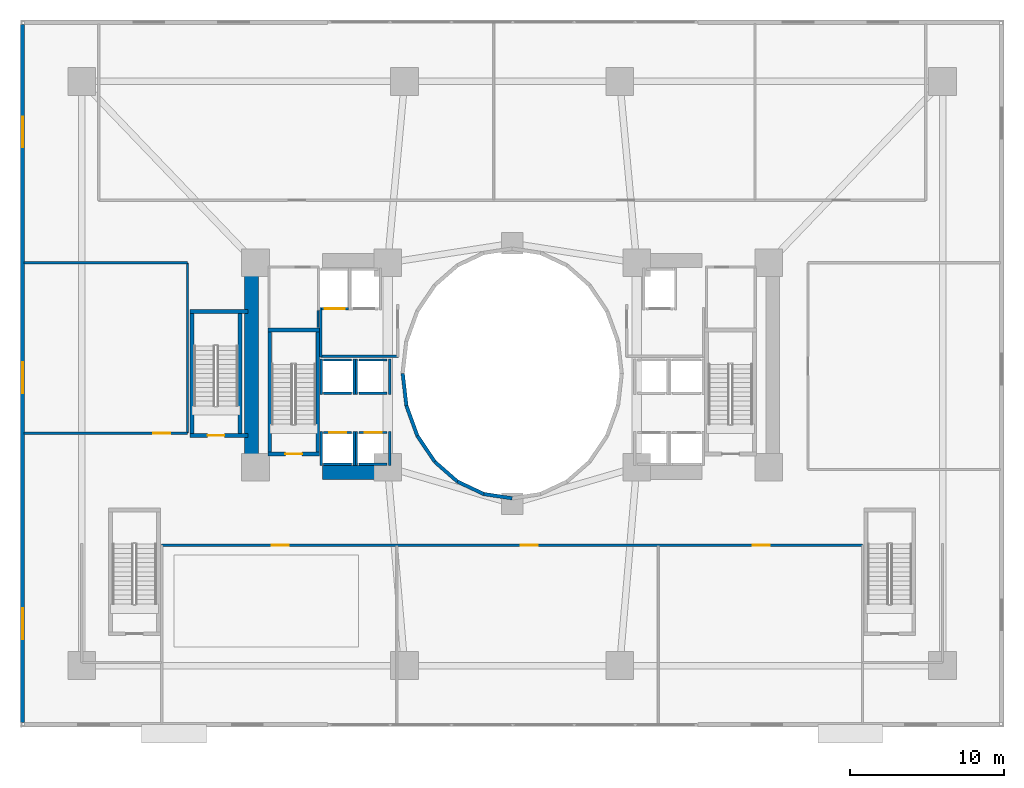
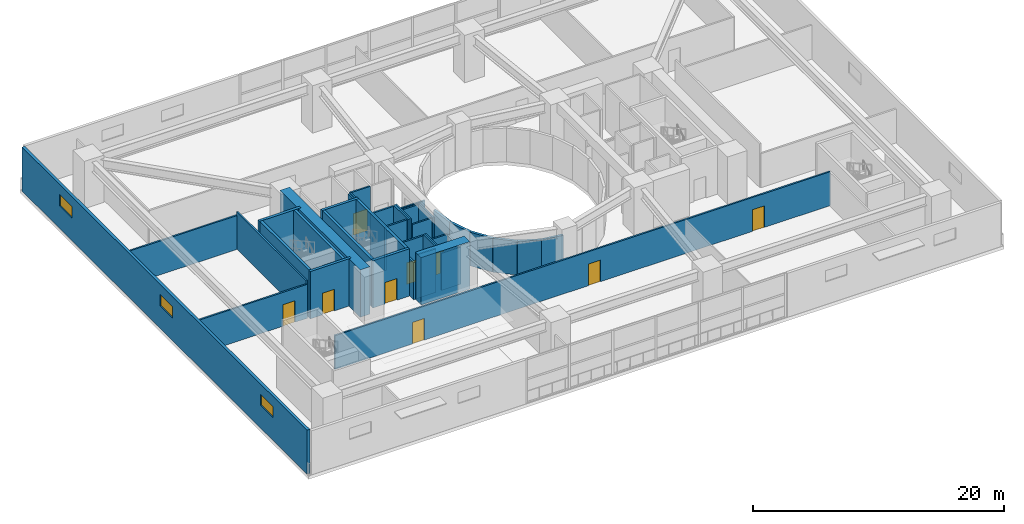
# One storey, part 11 of 20: 41 walls, 9 doors, 3 windows, 12 openings.
"""IFC4 building model written with IfcOpenShell, lengths in metres."""

import ifcopenshell
import ifcopenshell.guid

model = None  # the IFC model being written
_history = None  # IfcOwnerHistory: only IFC2X3 demands one
_inside = {}  # id of a spatial element -> (the spatial element, [elements in it])
_under = {}  # id of a project, library or spatial element -> (it, [spatial elements below it])
_declared = {}  # id of a project -> (the project, [libraries it declares])
_typed = {}  # id of a type object -> (the type object, [elements of that type])
_made_of = {}  # id of a material, layer set ... -> (it, [elements and type objects made of it])


def new_model(schema):
    """Start an empty IFC model of exactly this schema.

    Asked for "IFC4X3", IfcOpenShell would pick the latest addendum, in which some entities
    have other attributes; the version numbers below select the first issue.
    IFC2X3 requires an IfcOwnerHistory on every rooted entity: one is made here for all.
    """
    global model, _history
    if schema == "IFC4X3":
        model = ifcopenshell.file(schema_version=(4, 3, 0, 0))
    else:
        model = ifcopenshell.file(schema=schema)
    _inside.clear()
    _under.clear()
    _declared.clear()
    _typed.clear()
    _made_of.clear()
    _history = None
    if model.schema == "IFC2X3":
        org = make("IfcOrganization", Name="unknown")
        user = make(
            "IfcPersonAndOrganization",
            ThePerson=make("IfcPerson", FamilyName="unknown"),
            TheOrganization=org,
        )
        app = make(
            "IfcApplication",
            ApplicationDeveloper=org,
            Version="unknown",
            ApplicationFullName="unknown",
            ApplicationIdentifier="unknown",
        )
        _history = make(
            "IfcOwnerHistory",
            OwningUser=user,
            OwningApplication=app,
            ChangeAction="ADDED",
            CreationDate=0,
        )
    return model


def make(cls, **values):
    """One entity of the class cls with the attributes given. An attribute that is None is left unset."""
    return model.create_entity(
        cls, **{name: value for name, value in values.items() if value is not None}
    )


def rooted(cls, **values):
    """An entity with a GlobalId (a new one), such as an element, a storey or a relation."""
    return make(cls, GlobalId=ifcopenshell.guid.new(), OwnerHistory=_history, **values)


def si_unit(unit_type, name, prefix=None):
    """IfcSIUnit, for example si_unit("LENGTHUNIT", "METRE", prefix="MILLI")."""
    return make("IfcSIUnit", UnitType=unit_type, Prefix=prefix, Name=name)


def assignment(units):
    """IfcUnitAssignment: the units of a project."""
    return None if units is None else make("IfcUnitAssignment", Units=units)


def point(xyz):
    """IfcCartesianPoint."""
    return None if xyz is None else make("IfcCartesianPoint", Coordinates=xyz)


def direction(xyz):
    """IfcDirection."""
    return None if xyz is None else make("IfcDirection", DirectionRatios=xyz)


def frame(location, z_axis=None, x_axis=None):
    """IfcAxis2Placement3D, a coordinate frame: its origin and axes. An axis left out is left unset."""
    return make(
        "IfcAxis2Placement3D",
        Location=point(location),
        Axis=direction(z_axis),
        RefDirection=direction(x_axis),
    )


def frame_2d(location, x_axis=None):
    """IfcAxis2Placement2D, a coordinate frame in the plane: its origin and x axis."""
    return make(
        "IfcAxis2Placement2D", Location=point(location), RefDirection=direction(x_axis)
    )


def origin():
    """The frame at (0, 0, 0) with its axes left unset."""
    return frame((0.0, 0.0, 0.0))


def place(relative_to, where):
    """IfcLocalPlacement: puts the frame where relative to a parent placement (None: the world)."""
    return make(
        "IfcLocalPlacement", PlacementRelTo=relative_to, RelativePlacement=where
    )


def context(
    kind, dimensions, precision=None, world=None, true_north=None, identifier=None
):
    """IfcGeometricRepresentationContext, for example the 3D "Model" context."""
    return make(
        "IfcGeometricRepresentationContext",
        ContextIdentifier=identifier,
        ContextType=kind,
        CoordinateSpaceDimension=dimensions,
        Precision=precision,
        WorldCoordinateSystem=world,
        TrueNorth=true_north,
    )


def subcontext(parent, identifier, kind, view, scale=None):
    """IfcGeometricRepresentationSubContext, for example "Body" below "Model"."""
    return make(
        "IfcGeometricRepresentationSubContext",
        ContextIdentifier=identifier,
        ContextType=kind,
        ParentContext=parent,
        TargetScale=scale,
        TargetView=view,
    )


def project(units=None, contexts=None):
    """IfcProject with its units and contexts."""
    return rooted(
        "IfcProject",
        Name="project",
        RepresentationContexts=contexts,
        UnitsInContext=assignment(units),
    )


def spatial(cls, under=None, at=None, **own):
    """A site, building, storey or space (cls), placed at a placement, below another one or the project."""
    s = rooted(cls, ObjectPlacement=at, **own)
    if under is not None:
        _under.setdefault(under.id(), (under, []))[1].append(s)
    return s


def profile(cls, at=None, kind="AREA", **sizes):
    """A parametric profile (cls). Its sizes go by their IFC names, for example OverallWidth=200.0."""
    return make(cls, ProfileType=kind, Position=at, **sizes)


def rectangle(**sizes):
    """IfcRectangleProfileDef."""
    return profile("IfcRectangleProfileDef", **sizes)


def extrude(swept, where, along, depth):
    """IfcExtrudedAreaSolid: the profile swept, set in the frame where, extruded along a direction by depth."""
    return make(
        "IfcExtrudedAreaSolid",
        SweptArea=swept,
        Position=where,
        ExtrudedDirection=direction(along),
        Depth=depth,
    )


def shape(context_of_items, identifier, shape_type, items):
    """IfcShapeRepresentation: the items that make up one representation, for example the "Body"."""
    return make(
        "IfcShapeRepresentation",
        ContextOfItems=context_of_items,
        RepresentationIdentifier=identifier,
        RepresentationType=shape_type,
        Items=items,
    )


def material(Name=None, Category=None):
    """IfcMaterial."""
    return make("IfcMaterial", Name=Name, Category=Category)


def layer(
    of_material, thickness, ventilated=None, Name=None, Category=None, Priority=None
):
    """IfcMaterialLayer: one layer of a wall or slab, of a material (None: an air gap)."""
    return make(
        "IfcMaterialLayer",
        Material=of_material,
        LayerThickness=thickness,
        IsVentilated=ventilated,
        Name=Name,
        Category=Category,
        Priority=Priority,
    )


def layer_set(layers, Name=None):
    """IfcMaterialLayerSet."""
    return make("IfcMaterialLayerSet", MaterialLayers=layers, LayerSetName=Name)


def made_of(thing, what):
    """Note that an element or type object is made of a material, layer set ...; save() writes the relation."""
    if what is not None:
        _made_of.setdefault(what.id(), (what, []))[1].append(thing)
    return thing


def type_object(cls, material=None, **own):
    """A type object (cls), such as IfcWallType, which elements share."""
    return made_of(rooted(cls, **own), material)


def element(
    cls,
    number,
    at=None,
    inside=None,
    cuts=None,
    type_object=None,
    material=None,
    context=None,
    identifier="Body",
    shape_type=None,
    held_by="IfcProductDefinitionShape",
    body=None,
    shapes=None,
    **own,
):
    """One element of the class cls, such as IfcWall. Its Tag is "e" and its number.

    at: its placement. inside: the storey or other place that contains it. cuts: it is an
    opening in that element (IfcRelVoidsElement). A single representation is given by context,
    identifier, shape_type and body (its items); several are given by shapes. held_by: the class
    of the entity that holds the representations. save() writes the other relations.
    """
    e = rooted(cls, Tag="e%d" % number, ObjectPlacement=at, **own)
    if body is not None:
        shapes = [shape(context, identifier, shape_type, body)]
    if shapes is not None:
        e.Representation = make(held_by, Representations=shapes)
    if inside is not None:
        _inside.setdefault(inside.id(), (inside, []))[1].append(e)
    if cuts is not None:
        rooted(
            "IfcRelVoidsElement", RelatingBuildingElement=cuts, RelatedOpeningElement=e
        )
    if type_object is not None:
        _typed.setdefault(type_object.id(), (type_object, []))[1].append(e)
    return made_of(e, material)


def fill(opening, filler):
    """IfcRelFillsElement: the door or window that sits in an opening."""
    return rooted(
        "IfcRelFillsElement",
        RelatingOpeningElement=opening,
        RelatedBuildingElement=filler,
    )


def aggregate(whole, parts):
    """IfcRelAggregates: a whole, such as a stair, and the parts it consists of."""
    return rooted("IfcRelAggregates", RelatingObject=whole, RelatedObjects=parts)


def save(model, path):
    """Write the relations noted so far, then the file.

    IfcRelAggregates (storeys below a building ...), IfcRelContainedInSpatialStructure (elements
    in a storey), IfcRelDefinesByType, IfcRelAssociatesMaterial and IfcRelDeclares: one each for
    every whole, place, type object, material and project.
    """
    for whole, parts in _under.values():
        aggregate(whole, parts)
    for where, things in _inside.values():
        rooted(
            "IfcRelContainedInSpatialStructure",
            RelatedElements=things,
            RelatingStructure=where,
        )
    for kind, things in _typed.values():
        rooted("IfcRelDefinesByType", RelatedObjects=things, RelatingType=kind)
    for what, things in _made_of.values():
        rooted("IfcRelAssociatesMaterial", RelatedObjects=things, RelatingMaterial=what)
    for by, libraries in _declared.values():
        rooted("IfcRelDeclares", RelatingContext=by, RelatedDefinitions=libraries)
    model.write(path)


model = new_model("IFC4")

# Units and contexts
model_context = context("Model", 3, precision=1e-05, world=origin(), true_north=direction((0.0, 1.0)))
body_context = subcontext(model_context, "Body", "Model", "MODEL_VIEW")
ifc_project = project(units=[si_unit("LENGTHUNIT", "METRE"), si_unit("AREAUNIT", "SQUARE_METRE"), si_unit("VOLUMEUNIT", "CUBIC_METRE"), si_unit("PLANEANGLEUNIT", "RADIAN"), si_unit("MASSUNIT", "GRAM", prefix="KILO")], contexts=[model_context])

# Site, building, storey
site_placement = place(None, origin())
site = spatial("IfcSite", under=ifc_project, at=site_placement, CompositionType="ELEMENT")
building_placement = place(site_placement, origin())
building = spatial("IfcBuilding", under=site, at=building_placement, Name="Solvane Sanctuary Tower", CompositionType="ELEMENT")
storey_placement = place(building_placement, frame((0.0, 0.0, 9.199951171875)))
storey = spatial("IfcBuildingStorey", under=building, at=storey_placement, Name="L03", CompositionType="ELEMENT", Elevation=9.199951171875)

# Walls
ifc_material_1 = material(Name="Concrete C70/85", Category="concrete")
ifc_layer_1 = layer(ifc_material_1, 0.89990234375, Name="Concrete C70/85")
ifc_layer_set_1 = layer_set([ifc_layer_1], Name="Concrete C70/85")
wall_type_1 = type_object("IfcWallType", Name="Wall W-CORE-900", PredefinedType="SHEAR", material=ifc_layer_set_1)
wall_1_placement = place(storey_placement, frame((15.050048828125, 17.050048828125, 0.0), z_axis=(0.0, 0.0, 1.0), x_axis=(0.0, 1.0, 0.0)))
element("IfcWall", 1, at=wall_1_placement, inside=storey, type_object=wall_type_1, Name="L03 Core Shear Wall WC-W", PredefinedType="SHEAR", context=body_context, shape_type="SweptSolid", body=[
    extrude(rectangle(XDim=12.800048828125, YDim=0.89990234375, at=frame_2d((6.39990234375, 0.0))), origin(), (0.0, 0.0, 1.0), 4.60009765625),
])
wall_2_placement = place(storey_placement, frame((19.64990234375, 16.550048828125, 0.0), z_axis=(0.0, 0.0, 1.0), x_axis=(1.0, 0.0, 0.0)))
element("IfcWall", 2, at=wall_2_placement, inside=storey, type_object=wall_type_1, Name="L03 Core Shear Wall WC-S", PredefinedType="SHEAR", context=body_context, shape_type="SweptSolid", body=[
    extrude(rectangle(XDim=4.5, YDim=0.89990234375, at=frame_2d((2.25, 0.0))), origin(), (0.0, 0.0, 1.0), 4.60009765625),
])
ifc_material_2 = material(Name="Acoustic Gypsum Partition Board")
ifc_layer_2 = layer(ifc_material_2, 0.14990234375, Name="Acoustic Gypsum Partition Board")
ifc_layer_set_2 = layer_set([ifc_layer_2], Name="Acoustic Gypsum Partition Board")
wall_type_2 = type_object("IfcWallType", Name="Wall W-CORR-150", PredefinedType="PARTITIONING", material=ifc_layer_set_2)
wall_3_placement = place(storey_placement, frame((19.52001953125, 24.1201171875, 0.0), z_axis=(0.0, 0.0, 1.0), x_axis=(1.0, 0.0, 0.0)))
element("IfcWall", 3, at=wall_3_placement, inside=storey, type_object=wall_type_2, Name="L03 West Firefighting Lobby South Wall", PredefinedType="PARTITIONING", context=body_context, shape_type="SweptSolid", body=[
    extrude(rectangle(XDim=5.080078125, YDim=0.14990234375, at=frame_2d((2.5400390625, 0.0))), origin(), (0.0, 0.0, 1.0), 3.6201171875),
])
wall_4_placement = place(storey_placement, frame((19.550048828125, 24.080078125, 0.0), z_axis=(0.0, 0.0, 1.0), x_axis=(0.0, 1.0, 0.0)))
element("IfcWall", 4, at=wall_4_placement, inside=storey, type_object=wall_type_2, Name="L03 West Firefighting Lobby West Wall", PredefinedType="PARTITIONING", context=body_context, shape_type="SweptSolid", body=[
    extrude(rectangle(XDim=3.199951171875, YDim=0.14990234375, at=frame_2d((1.60009765625, 0.0))), origin(), (0.0, 0.0, 1.0), 4.255126953125),
])

# Wall, openings, doors
wall_5_placement = place(storey_placement, frame((9.199951171875, 11.830078125, 0.0), z_axis=(0.0, 0.0, 1.0), x_axis=(1.0, 0.0, 0.0)))
wall_5 = element("IfcWall", 5, at=wall_5_placement, inside=storey, type_object=wall_type_2, Name="L03 South Sanctuary Corridor Wall", PredefinedType="PARTITIONING", context=body_context, shape_type="SweptSolid", body=[
    extrude(rectangle(XDim=45.60009765625, YDim=0.14990234375, at=frame_2d((22.800048828125, 0.0))), origin(), (0.0, 0.0, 1.0), 3.300048828125),
])
opening_1_placement = place(wall_5_placement, frame((7.14990234375, 0.0, 0.0)))
opening_1 = element("IfcOpeningElement", 6, at=opening_1_placement, cuts=wall_5, Name="Opening D-L03-08", PredefinedType="OPENING", context=body_context, shape_type="SweptSolid", body=[
    extrude(rectangle(XDim=1.10009765625, YDim=2.10009765625, at=frame_2d((0.550048828125, 1.050048828125))), frame((0.0, 0.0849609375, 0.0), z_axis=(0.0, -1.0, 0.0), x_axis=(1.0, 0.0, 0.0)), (0.0, 0.0, 1.0), 0.169921875),
])
opening_2_placement = place(wall_5_placement, frame((23.35009765625, 0.0, 0.0)))
opening_2 = element("IfcOpeningElement", 7, at=opening_2_placement, cuts=wall_5, Name="Opening D-L03-09", PredefinedType="OPENING", context=body_context, shape_type="SweptSolid", body=[
    extrude(rectangle(XDim=1.10009765625, YDim=2.10009765625, at=frame_2d((0.550048828125, 1.050048828125))), frame((0.0, 0.0849609375, 0.0), z_axis=(0.0, -1.0, 0.0), x_axis=(1.0, 0.0, 0.0)), (0.0, 0.0, 1.0), 0.169921875),
])
opening_3_placement = place(wall_5_placement, frame((38.449951171875, 0.0, 0.0)))
opening_3 = element("IfcOpeningElement", 8, at=opening_3_placement, cuts=wall_5, Name="Opening D-L03-10", PredefinedType="OPENING", context=body_context, shape_type="SweptSolid", body=[
    extrude(rectangle(XDim=1.10009765625, YDim=2.10009765625, at=frame_2d((0.550048828125, 1.050048828125))), frame((0.0, 0.0849609375, 0.0), z_axis=(0.0, -1.0, 0.0), x_axis=(1.0, 0.0, 0.0)), (0.0, 0.0, 1.0), 0.169921875),
])
ifc_material_3 = material(Name="Architectural Stainless Steel 316", Category="steel")
door_type_1 = type_object("IfcDoorType", Name="Door D-FFL", OperationType="NOTDEFINED", PredefinedType="DOOR", material=ifc_material_3)
door_1_placement = place(opening_1_placement, origin())
door_1 = element("IfcDoor", 9, at=door_1_placement, inside=storey, type_object=door_type_1, Name="L03 GAL-W Hall Door", OperationType="SINGLE_SWING_RIGHT", OverallHeight=2.10009765625, OverallWidth=1.10009765625, PredefinedType="DOOR", context=body_context, shape_type="SweptSolid", body=[
    extrude(rectangle(XDim=1.10009765625, YDim=2.10009765625, at=frame_2d((0.550048828125, 1.050048828125))), frame((0.0, 0.02490234375, 0.0), z_axis=(0.0, -1.0, 0.0), x_axis=(1.0, 0.0, 0.0)), (0.0, 0.0, 1.0), 0.050048828125),
])
fill(opening_1, door_1)
door_2_placement = place(opening_2_placement, origin())
door_2 = element("IfcDoor", 10, at=door_2_placement, inside=storey, type_object=door_type_1, Name="L03 GAL-C Hall Door", OperationType="SINGLE_SWING_LEFT", OverallHeight=2.10009765625, OverallWidth=1.10009765625, PredefinedType="DOOR", context=body_context, shape_type="SweptSolid", body=[
    extrude(rectangle(XDim=1.10009765625, YDim=2.10009765625, at=frame_2d((0.550048828125, 1.050048828125))), frame((0.0, 0.02490234375, 0.0), z_axis=(0.0, -1.0, 0.0), x_axis=(1.0, 0.0, 0.0)), (0.0, 0.0, 1.0), 0.050048828125),
])
fill(opening_2, door_2)
door_3_placement = place(opening_3_placement, origin())
door_3 = element("IfcDoor", 11, at=door_3_placement, inside=storey, type_object=door_type_1, Name="L03 GAL-E Hall Door", OperationType="SINGLE_SWING_RIGHT", OverallHeight=2.10009765625, OverallWidth=1.10009765625, PredefinedType="DOOR", context=body_context, shape_type="SweptSolid", body=[
    extrude(rectangle(XDim=1.10009765625, YDim=2.10009765625, at=frame_2d((0.550048828125, 1.050048828125))), frame((0.0, 0.02490234375, 0.0), z_axis=(0.0, -1.0, 0.0), x_axis=(1.0, 0.0, 0.0)), (0.0, 0.0, 1.0), 0.050048828125),
])
fill(opening_3, door_3)

# Wall, opening, door
wall_6_placement = place(storey_placement, frame((0.25, 19.1201171875, 0.0), z_axis=(0.0, 0.0, 1.0), x_axis=(1.0, 0.0, 0.0)))
wall_6 = element("IfcWall", 12, at=wall_6_placement, inside=storey, type_object=wall_type_2, Name="L03 West Cloister South Wall", PredefinedType="PARTITIONING", context=body_context, shape_type="SweptSolid", body=[
    extrude(rectangle(XDim=10.6298828125, YDim=0.14990234375, at=frame_2d((5.31494140625, 0.0))), origin(), (0.0, 0.0, 1.0), 3.300048828125),
])
opening_4_placement = place(wall_6_placement, frame((8.39990234375, 0.0, 0.0)))
opening_4 = element("IfcOpeningElement", 13, at=opening_4_placement, cuts=wall_6, Name="Opening D-L03-15", PredefinedType="OPENING", context=body_context, shape_type="SweptSolid", body=[
    extrude(rectangle(XDim=1.10009765625, YDim=2.10009765625, at=frame_2d((0.550048828125, 1.050048828125))), frame((0.0, 0.0849609375, 0.0), z_axis=(0.0, -1.0, 0.0), x_axis=(1.0, 0.0, 0.0)), (0.0, 0.0, 1.0), 0.169921875),
])
door_4_placement = place(opening_4_placement, origin())
door_4 = element("IfcDoor", 14, at=door_4_placement, inside=storey, type_object=door_type_1, Name="L03 West Cloister Door", OperationType="SINGLE_SWING_LEFT", OverallHeight=2.10009765625, OverallWidth=1.10009765625, PredefinedType="DOOR", context=body_context, shape_type="SweptSolid", body=[
    extrude(rectangle(XDim=1.10009765625, YDim=2.10009765625, at=frame_2d((0.550048828125, 1.050048828125))), frame((0.0, 0.02490234375, 0.0), z_axis=(0.0, -1.0, 0.0), x_axis=(1.0, 0.0, 0.0)), (0.0, 0.0, 1.0), 0.050048828125),
])
fill(opening_4, door_4)

# Walls
wall_7_placement = place(storey_placement, frame((10.8798828125, 19.1201171875, 0.0), z_axis=(0.0, 0.0, 1.0), x_axis=(0.0, 1.0, 0.0)))
element("IfcWall", 15, at=wall_7_placement, inside=storey, type_object=wall_type_2, Name="L03 West Cloister East Wall", PredefinedType="PARTITIONING", context=body_context, shape_type="SweptSolid", body=[
    extrude(rectangle(XDim=11.079833984375, YDim=0.14990234375, at=frame_2d((5.5400390625, 0.0))), origin(), (0.0, 0.0, 1.0), 3.6201171875),
])
wall_8_placement = place(storey_placement, frame((0.25, 30.199951171875, 0.0), z_axis=(0.0, 0.0, 1.0), x_axis=(1.0, 0.0, 0.0)))
element("IfcWall", 16, at=wall_8_placement, inside=storey, type_object=wall_type_2, Name="L03 West Cloister North Wall", PredefinedType="PARTITIONING", context=body_context, shape_type="SweptSolid", body=[
    extrude(rectangle(XDim=10.6298828125, YDim=0.14990234375, at=frame_2d((5.31494140625, 0.0))), origin(), (0.0, 0.0, 1.0), 3.300048828125),
])

# Wall, openings, windows
ifc_material_4 = material(Name="Precast concrete C40/50", Category="concrete")
ifc_layer_3 = layer(ifc_material_4, 0.260009765625, Name="Precast concrete C40/50")
ifc_layer_set_3 = layer_set([ifc_layer_3], Name="Precast concrete C40/50")
wall_type_3 = type_object("IfcWallType", Name="Wall W-EXT-250", PredefinedType="STANDARD", material=ifc_layer_set_3)
wall_9_placement = place(storey_placement, frame((0.14990234375, 45.719970703125, 0.0), z_axis=(0.0, 0.0, 1.0), x_axis=(0.0, -1.0, 0.0)))
wall_9 = element("IfcWall", 17, at=wall_9_placement, inside=storey, type_object=wall_type_3, Name="L03 Podium Facade Wall W1", PredefinedType="STANDARD", context=body_context, shape_type="SweptSolid", body=[
    extrude(rectangle(XDim=45.43994140625, YDim=0.260009765625, at=frame_2d((22.719970703125, 0.0))), origin(), (0.0, 0.0, 1.0), 4.280029296875),
])
opening_5_placement = place(wall_9_placement, frame((6.0, 0.0, 2.199951171875)))
opening_5 = element("IfcOpeningElement", 18, at=opening_5_placement, cuts=wall_9, Name="Opening WN-CLER-2000", PredefinedType="OPENING", context=body_context, shape_type="SweptSolid", body=[
    extrude(rectangle(XDim=2.0, YDim=1.10009765625, at=frame_2d((1.0, 0.550048828125))), frame((0.0, 0.139892578125, 0.0), z_axis=(0.0, -1.0, 0.0), x_axis=(1.0, 0.0, 0.0)), (0.0, 0.0, 1.0), 0.280029296875),
])
opening_6_placement = place(wall_9_placement, frame((22.0, 0.0, 2.199951171875)))
opening_6 = element("IfcOpeningElement", 19, at=opening_6_placement, cuts=wall_9, Name="Opening WN-CLER-2000", PredefinedType="OPENING", context=body_context, shape_type="SweptSolid", body=[
    extrude(rectangle(XDim=2.0, YDim=1.10009765625, at=frame_2d((1.0, 0.550048828125))), frame((0.0, 0.139892578125, 0.0), z_axis=(0.0, -1.0, 0.0), x_axis=(1.0, 0.0, 0.0)), (0.0, 0.0, 1.0), 0.280029296875),
])
opening_7_placement = place(wall_9_placement, frame((38.0, 0.0, 2.199951171875)))
opening_7 = element("IfcOpeningElement", 20, at=opening_7_placement, cuts=wall_9, Name="Opening WN-CLER-2000", PredefinedType="OPENING", context=body_context, shape_type="SweptSolid", body=[
    extrude(rectangle(XDim=2.0, YDim=1.10009765625, at=frame_2d((1.0, 0.550048828125))), frame((0.0, 0.139892578125, 0.0), z_axis=(0.0, -1.0, 0.0), x_axis=(1.0, 0.0, 0.0)), (0.0, 0.0, 1.0), 0.280029296875),
])
ifc_material_5 = material(Name="Dark Ceramic-Fritted Low-E Glass", Category="glass")
window_type = type_object("IfcWindowType", Name="Window WN-CLER-2000", PartitioningType="SINGLE_PANEL", PredefinedType="WINDOW", material=ifc_material_5)
window_1_placement = place(opening_5_placement, origin())
window_1 = element("IfcWindow", 21, at=window_1_placement, inside=storey, type_object=window_type, Name="L03 Podium Window W1-6", OverallHeight=1.10009765625, OverallWidth=2.0, PartitioningType="SINGLE_PANEL", PredefinedType="WINDOW", context=body_context, shape_type="SweptSolid", body=[
    extrude(rectangle(XDim=2.0, YDim=1.10009765625, at=frame_2d((1.0, 0.550048828125))), frame((0.0, 0.030029296875, 0.0), z_axis=(0.0, -1.0, 0.0), x_axis=(1.0, 0.0, 0.0)), (0.0, 0.0, 1.0), 0.06005859375),
])
fill(opening_5, window_1)
window_2_placement = place(opening_6_placement, origin())
window_2 = element("IfcWindow", 22, at=window_2_placement, inside=storey, type_object=window_type, Name="L03 Podium Window W1-22", OverallHeight=1.10009765625, OverallWidth=2.0, PartitioningType="SINGLE_PANEL", PredefinedType="WINDOW", context=body_context, shape_type="SweptSolid", body=[
    extrude(rectangle(XDim=2.0, YDim=1.10009765625, at=frame_2d((1.0, 0.550048828125))), frame((0.0, 0.030029296875, 0.0), z_axis=(0.0, -1.0, 0.0), x_axis=(1.0, 0.0, 0.0)), (0.0, 0.0, 1.0), 0.06005859375),
])
fill(opening_6, window_2)
window_3_placement = place(opening_7_placement, origin())
window_3 = element("IfcWindow", 23, at=window_3_placement, inside=storey, type_object=window_type, Name="L03 Podium Window W1-38", OverallHeight=1.10009765625, OverallWidth=2.0, PartitioningType="SINGLE_PANEL", PredefinedType="WINDOW", context=body_context, shape_type="SweptSolid", body=[
    extrude(rectangle(XDim=2.0, YDim=1.10009765625, at=frame_2d((1.0, 0.550048828125))), frame((0.0, 0.030029296875, 0.0), z_axis=(0.0, -1.0, 0.0), x_axis=(1.0, 0.0, 0.0)), (0.0, 0.0, 1.0), 0.06005859375),
])
fill(opening_7, window_3)

# Walls
ifc_layer_4 = layer(ifc_material_4, 0.22998046875, Name="Precast concrete C40/50")
ifc_layer_set_4 = layer_set([ifc_layer_4], Name="Precast concrete C40/50")
wall_type_4 = type_object("IfcWallType", Name="Wall W-EXT-SP220", PredefinedType="STANDARD", material=ifc_layer_set_4)
wall_10_placement = place(storey_placement, frame((24.8798828125, 23.0, 0.0), z_axis=(0.0, 0.0, 1.0), x_axis=(0.114711713601, -0.993398823617, 0.0)))
element("IfcWall", 24, at=wall_10_placement, inside=storey, type_object=wall_type_4, Name="L03 Light-Well Enclosure Wall 12", PredefinedType="STANDARD", context=body_context, shape_type="SweptSolid", body=[
    extrude(rectangle(XDim=2.115478515625, YDim=0.22998046875, at=frame_2d((1.0576171875, 0.0))), origin(), (0.0, 0.0, 1.0), 3.280029296875),
])
wall_11_placement = place(storey_placement, frame((25.12255859375, 20.8984375, 0.0), z_axis=(0.0, 0.0, 1.0), x_axis=(0.341423187295, -0.93990968033, 0.0)))
element("IfcWall", 25, at=wall_11_placement, inside=storey, type_object=wall_type_4, Name="L03 Light-Well Enclosure Wall 13", PredefinedType="STANDARD", context=body_context, shape_type="SweptSolid", body=[
    extrude(rectangle(XDim=2.083740234375, YDim=0.22998046875, at=frame_2d((1.0419921875, 0.0))), origin(), (0.0, 0.0, 1.0), 3.280029296875),
])
wall_12_placement = place(storey_placement, frame((25.833984375, 18.93994140625, 0.0), z_axis=(0.0, 0.0, 1.0), x_axis=(0.558197800898, -0.829707909492, 0.0)))
element("IfcWall", 26, at=wall_12_placement, inside=storey, type_object=wall_type_4, Name="L03 Light-Well Enclosure Wall 14", PredefinedType="STANDARD", context=body_context, shape_type="SweptSolid", body=[
    extrude(rectangle(XDim=2.02685546875, YDim=0.22998046875, at=frame_2d((1.013427734375, 0.0))), origin(), (0.0, 0.0, 1.0), 3.280029296875),
])
wall_13_placement = place(storey_placement, frame((26.96533203125, 17.25830078125, 0.0), z_axis=(0.0, 0.0, 1.0), x_axis=(0.752576694707, -0.658504607869, 0.0)))
element("IfcWall", 27, at=wall_13_placement, inside=storey, type_object=wall_type_4, Name="L03 Light-Well Enclosure Wall 15", PredefinedType="STANDARD", context=body_context, shape_type="SweptSolid", body=[
    extrude(rectangle(XDim=1.95947265625, YDim=0.22998046875, at=frame_2d((0.979736328125, 0.0))), origin(), (0.0, 0.0, 1.0), 3.280029296875),
])
wall_14_placement = place(storey_placement, frame((28.43994140625, 15.968017578125, 0.0), z_axis=(0.0, 0.0, 1.0), x_axis=(0.904179699603, -0.427152280606, 0.0)))
element("IfcWall", 28, at=wall_14_placement, inside=storey, type_object=wall_type_4, Name="L03 Light-Well Enclosure Wall 16", PredefinedType="STANDARD", context=body_context, shape_type="SweptSolid", body=[
    extrude(rectangle(XDim=1.899169921875, YDim=0.22998046875, at=frame_2d((0.94970703125, 0.0))), origin(), (0.0, 0.0, 1.0), 3.280029296875),
])
wall_15_placement = place(storey_placement, frame((30.1572265625, 15.15673828125, 0.0), z_axis=(0.0, 0.0, 1.0), x_axis=(0.988901730308, -0.148571086668, 0.0)))
element("IfcWall", 29, at=wall_15_placement, inside=storey, type_object=wall_type_4, Name="L03 Light-Well Enclosure Wall 17", PredefinedType="STANDARD", context=body_context, shape_type="SweptSolid", body=[
    extrude(rectangle(XDim=1.863525390625, YDim=0.22998046875, at=frame_2d((0.931640625, 0.0))), origin(), (0.0, 0.0, 1.0), 3.280029296875),
])

# Wall, opening, door
ifc_material_6 = material(Name="Concrete C50/60", Category="concrete")
ifc_layer_5 = layer(ifc_material_6, 0.14990234375, Name="Concrete C50/60")
ifc_layer_set_5 = layer_set([ifc_layer_5], Name="Concrete C50/60")
wall_type_5 = type_object("IfcWallType", Name="Wall W-SHAFT-150", PredefinedType="SOLIDWALL", material=ifc_layer_set_5)
wall_16_placement = place(storey_placement, frame((19.739990234375, 19.159912109375, 0.0), z_axis=(0.0, 0.0, 1.0), x_axis=(1.0, 0.0, 0.0)))
wall_16 = element("IfcWall", 30, at=wall_16_placement, inside=storey, type_object=wall_type_5, Name="L03 PL-1 Lift Shaft Wall F", PredefinedType="SOLIDWALL", context=body_context, shape_type="SweptSolid", body=[
    extrude(rectangle(XDim=1.820068359375, YDim=0.14990234375, at=frame_2d((0.91015625, 0.0))), origin(), (0.0, 0.0, 1.0), 4.255126953125),
])
opening_8_placement = place(wall_16_placement, frame((0.360107421875, 0.0, 0.0)))
opening_8 = element("IfcOpeningElement", 31, at=opening_8_placement, cuts=wall_16, Name="Opening LD-L03-01", PredefinedType="OPENING", context=body_context, shape_type="SweptSolid", body=[
    extrude(rectangle(XDim=1.10009765625, YDim=2.10009765625, at=frame_2d((0.550048828125, 1.050048828125))), frame((0.0, 0.0849609375, 0.0), z_axis=(0.0, -1.0, 0.0), x_axis=(1.0, 0.0, 0.0)), (0.0, 0.0, 1.0), 0.169921875),
])
door_type_2 = type_object("IfcDoorType", Name="Door LD-PASS-1100", OperationType="NOTDEFINED", PredefinedType="DOOR", material=ifc_material_3)
door_5_placement = place(opening_8_placement, origin())
door_5 = element("IfcDoor", 32, at=door_5_placement, inside=storey, type_object=door_type_2, Name="L03 PL-1 Lift Landing Door", OperationType="DOUBLE_DOOR_SLIDING", OverallHeight=2.10009765625, OverallWidth=1.10009765625, PredefinedType="DOOR", context=body_context, shape_type="SweptSolid", body=[
    extrude(rectangle(XDim=1.10009765625, YDim=2.10009765625, at=frame_2d((0.550048828125, 1.050048828125))), frame((0.0, 0.02490234375, 0.0), z_axis=(0.0, -1.0, 0.0), x_axis=(1.0, 0.0, 0.0)), (0.0, 0.0, 1.0), 0.050048828125),
])
fill(opening_8, door_5)

# Walls
wall_17_placement = place(storey_placement, frame((19.739990234375, 17.10009765625, 0.0), z_axis=(0.0, 0.0, 1.0), x_axis=(1.0, 0.0, 0.0)))
element("IfcWall", 33, at=wall_17_placement, inside=storey, type_object=wall_type_5, Name="L03 PL-1 Lift Shaft Wall B", PredefinedType="SOLIDWALL", context=body_context, shape_type="SweptSolid", body=[
    extrude(rectangle(XDim=1.820068359375, YDim=0.14990234375, at=frame_2d((0.91015625, 0.0))), origin(), (0.0, 0.0, 1.0), 4.255126953125),
])
wall_18_placement = place(storey_placement, frame((19.570068359375, 17.02001953125, 0.0), z_axis=(0.0, 0.0, 1.0), x_axis=(0.0, 1.0, 0.0)))
element("IfcWall", 34, at=wall_18_placement, inside=storey, type_object=wall_type_5, Name="L03 PL-1 Lift Shaft Wall S1", PredefinedType="SOLIDWALL", context=body_context, shape_type="SweptSolid", body=[
    extrude(rectangle(XDim=2.219970703125, YDim=0.14990234375, at=frame_2d((1.10986328125, 0.0))), origin(), (0.0, 0.0, 1.0), 3.6201171875),
])
wall_19_placement = place(storey_placement, frame((21.72998046875, 17.02001953125, 0.0), z_axis=(0.0, 0.0, 1.0), x_axis=(0.0, 1.0, 0.0)))
element("IfcWall", 35, at=wall_19_placement, inside=storey, type_object=wall_type_5, Name="L03 PL-1 Lift Shaft Wall S2", PredefinedType="SOLIDWALL", context=body_context, shape_type="SweptSolid", body=[
    extrude(rectangle(XDim=2.219970703125, YDim=0.14990234375, at=frame_2d((1.10986328125, 0.0))), origin(), (0.0, 0.0, 1.0), 4.255126953125),
])

# Wall, opening, door
wall_20_placement = place(storey_placement, frame((22.0400390625, 19.159912109375, 0.0), z_axis=(0.0, 0.0, 1.0), x_axis=(1.0, 0.0, 0.0)))
wall_20 = element("IfcWall", 36, at=wall_20_placement, inside=storey, type_object=wall_type_5, Name="L03 PL-2 Lift Shaft Wall F", PredefinedType="SOLIDWALL", context=body_context, shape_type="SweptSolid", body=[
    extrude(rectangle(XDim=1.820068359375, YDim=0.14990234375, at=frame_2d((0.91015625, 0.0))), origin(), (0.0, 0.0, 1.0), 3.6201171875),
])
opening_9_placement = place(wall_20_placement, frame((0.360107421875, 0.0, 0.0)))
opening_9 = element("IfcOpeningElement", 37, at=opening_9_placement, cuts=wall_20, Name="Opening LD-L03-02", PredefinedType="OPENING", context=body_context, shape_type="SweptSolid", body=[
    extrude(rectangle(XDim=1.10009765625, YDim=2.10009765625, at=frame_2d((0.550048828125, 1.050048828125))), frame((0.0, 0.0849609375, 0.0), z_axis=(0.0, -1.0, 0.0), x_axis=(1.0, 0.0, 0.0)), (0.0, 0.0, 1.0), 0.169921875),
])
door_6_placement = place(opening_9_placement, origin())
door_6 = element("IfcDoor", 38, at=door_6_placement, inside=storey, type_object=door_type_2, Name="L03 PL-2 Lift Landing Door", OperationType="DOUBLE_DOOR_SLIDING", OverallHeight=2.10009765625, OverallWidth=1.10009765625, PredefinedType="DOOR", context=body_context, shape_type="SweptSolid", body=[
    extrude(rectangle(XDim=1.10009765625, YDim=2.10009765625, at=frame_2d((0.550048828125, 1.050048828125))), frame((0.0, 0.02490234375, 0.0), z_axis=(0.0, -1.0, 0.0), x_axis=(1.0, 0.0, 0.0)), (0.0, 0.0, 1.0), 0.050048828125),
])
fill(opening_9, door_6)

# Walls
wall_21_placement = place(storey_placement, frame((22.0400390625, 17.10009765625, 0.0), z_axis=(0.0, 0.0, 1.0), x_axis=(1.0, 0.0, 0.0)))
element("IfcWall", 39, at=wall_21_placement, inside=storey, type_object=wall_type_5, Name="L03 PL-2 Lift Shaft Wall B", PredefinedType="SOLIDWALL", context=body_context, shape_type="SweptSolid", body=[
    extrude(rectangle(XDim=1.820068359375, YDim=0.14990234375, at=frame_2d((0.91015625, 0.0))), origin(), (0.0, 0.0, 1.0), 3.6201171875),
])
wall_22_placement = place(storey_placement, frame((21.8701171875, 17.02001953125, 0.0), z_axis=(0.0, 0.0, 1.0), x_axis=(0.0, 1.0, 0.0)))
element("IfcWall", 40, at=wall_22_placement, inside=storey, type_object=wall_type_5, Name="L03 PL-2 Lift Shaft Wall S1", PredefinedType="SOLIDWALL", context=body_context, shape_type="SweptSolid", body=[
    extrude(rectangle(XDim=2.219970703125, YDim=0.14990234375, at=frame_2d((1.10986328125, 0.0))), origin(), (0.0, 0.0, 1.0), 4.255126953125),
])
wall_23_placement = place(storey_placement, frame((24.030029296875, 17.02001953125, 0.0), z_axis=(0.0, 0.0, 1.0), x_axis=(0.0, 1.0, 0.0)))
element("IfcWall", 41, at=wall_23_placement, inside=storey, type_object=wall_type_5, Name="L03 PL-2 Lift Shaft Wall S2", PredefinedType="SOLIDWALL", context=body_context, shape_type="SweptSolid", body=[
    extrude(rectangle(XDim=2.219970703125, YDim=0.14990234375, at=frame_2d((1.10986328125, 0.0))), origin(), (0.0, 0.0, 1.0), 3.300048828125),
])
for number, where, z_axis, x_axis, name in (
    (42, (19.739990234375, 21.719970703125, 0.0), (0.0, 0.0, 1.0), (1.0, 0.0, 0.0), "L03 PM-1 Lift Shaft Wall F"),
    (43, (19.739990234375, 23.8798828125, 0.0), (0.0, 0.0, 1.0), (1.0, 0.0, 0.0), "L03 PM-1 Lift Shaft Wall B"),
):
    element("IfcWall", number, at=place(storey_placement, frame(where, z_axis=z_axis, x_axis=x_axis)), inside=storey, type_object=wall_type_5, Name=name, PredefinedType="SOLIDWALL", context=body_context, shape_type="SweptSolid", body=[
        extrude(rectangle(XDim=1.820068359375, YDim=0.14990234375, at=frame_2d((0.91015625, 0.0))), origin(), (0.0, 0.0, 1.0), 4.255126953125),
    ])
for number, where, z_axis, x_axis, name in (
    (44, (19.570068359375, 21.639892578125, 0.0), (0.0, 0.0, 1.0), (0.0, 1.0, 0.0), "L03 PM-1 Lift Shaft Wall S1"),
    (45, (21.72998046875, 21.639892578125, 0.0), (0.0, 0.0, 1.0), (0.0, 1.0, 0.0), "L03 PM-1 Lift Shaft Wall S2"),
):
    element("IfcWall", number, at=place(storey_placement, frame(where, z_axis=z_axis, x_axis=x_axis)), inside=storey, type_object=wall_type_5, Name=name, PredefinedType="SOLIDWALL", context=body_context, shape_type="SweptSolid", body=[
        extrude(rectangle(XDim=2.320068359375, YDim=0.14990234375, at=frame_2d((1.16015625, 0.0))), origin(), (0.0, 0.0, 1.0), 4.255126953125),
    ])
for number, where, z_axis, x_axis, name in (
    (46, (22.0400390625, 21.719970703125, 0.0), (0.0, 0.0, 1.0), (1.0, 0.0, 0.0), "L03 PH-1 Lift Shaft Wall F"),
    (47, (22.0400390625, 23.8798828125, 0.0), (0.0, 0.0, 1.0), (1.0, 0.0, 0.0), "L03 PH-1 Lift Shaft Wall B"),
):
    element("IfcWall", number, at=place(storey_placement, frame(where, z_axis=z_axis, x_axis=x_axis)), inside=storey, type_object=wall_type_5, Name=name, PredefinedType="SOLIDWALL", context=body_context, shape_type="SweptSolid", body=[
        extrude(rectangle(XDim=1.820068359375, YDim=0.14990234375, at=frame_2d((0.91015625, 0.0))), origin(), (0.0, 0.0, 1.0), 3.6201171875),
    ])
wall_24_placement = place(storey_placement, frame((21.8701171875, 21.639892578125, 0.0), z_axis=(0.0, 0.0, 1.0), x_axis=(0.0, 1.0, 0.0)))
element("IfcWall", 48, at=wall_24_placement, inside=storey, type_object=wall_type_5, Name="L03 PH-1 Lift Shaft Wall S1", PredefinedType="SOLIDWALL", context=body_context, shape_type="SweptSolid", body=[
    extrude(rectangle(XDim=2.320068359375, YDim=0.14990234375, at=frame_2d((1.16015625, 0.0))), origin(), (0.0, 0.0, 1.0), 4.255126953125),
])
wall_25_placement = place(storey_placement, frame((24.030029296875, 21.639892578125, 0.0), z_axis=(0.0, 0.0, 1.0), x_axis=(0.0, 1.0, 0.0)))
element("IfcWall", 49, at=wall_25_placement, inside=storey, type_object=wall_type_5, Name="L03 PH-1 Lift Shaft Wall S2", PredefinedType="SOLIDWALL", context=body_context, shape_type="SweptSolid", body=[
    extrude(rectangle(XDim=2.320068359375, YDim=0.14990234375, at=frame_2d((1.16015625, 0.0))), origin(), (0.0, 0.0, 1.0), 3.6201171875),
])

# Wall, opening, door
wall_26_placement = place(storey_placement, frame((19.590087890625, 27.219970703125, 0.0), z_axis=(0.0, 0.0, 1.0), x_axis=(1.0, 0.0, 0.0)))
wall_26 = element("IfcWall", 50, at=wall_26_placement, inside=storey, type_object=wall_type_5, Name="L03 FFL-1 Lift Shaft Wall F", PredefinedType="SOLIDWALL", context=body_context, shape_type="SweptSolid", body=[
    extrude(rectangle(XDim=1.760009765625, YDim=0.14990234375, at=frame_2d((0.8798828125, 0.0))), origin(), (0.0, 0.0, 1.0), 4.255126953125),
])
opening_10_placement = place(wall_26_placement, frame((0.22998046875, 0.0, 0.0)))
opening_10 = element("IfcOpeningElement", 51, at=opening_10_placement, cuts=wall_26, Name="Opening LD-L03-05", PredefinedType="OPENING", context=body_context, shape_type="SweptSolid", body=[
    extrude(rectangle(XDim=1.300048828125, YDim=2.10009765625, at=frame_2d((0.64990234375, 1.050048828125))), frame((0.0, 0.0849609375, 0.0), z_axis=(0.0, -1.0, 0.0), x_axis=(1.0, 0.0, 0.0)), (0.0, 0.0, 1.0), 0.169921875),
])
door_type_3 = type_object("IfcDoorType", Name="Door LD-FFL-1300", OperationType="NOTDEFINED", PredefinedType="DOOR", material=ifc_material_3)
door_7_placement = place(opening_10_placement, origin())
door_7 = element("IfcDoor", 52, at=door_7_placement, inside=storey, type_object=door_type_3, Name="L03 FFL-1 Lift Landing Door", OperationType="DOUBLE_DOOR_SLIDING", OverallHeight=2.10009765625, OverallWidth=1.300048828125, PredefinedType="DOOR", context=body_context, shape_type="SweptSolid", body=[
    extrude(rectangle(XDim=1.300048828125, YDim=2.10009765625, at=frame_2d((0.64990234375, 1.050048828125))), frame((0.0, 0.02490234375, 0.0), z_axis=(0.0, -1.0, 0.0), x_axis=(1.0, 0.0, 0.0)), (0.0, 0.0, 1.0), 0.050048828125),
])
fill(opening_10, door_7)

ifc_layer_6 = layer(ifc_material_6, 0.25, Name="Concrete C50/60")
ifc_layer_set_6 = layer_set([ifc_layer_6], Name="Concrete C50/60")
wall_type_6 = type_object("IfcWallType", Name="Wall W-SHAFT-250", PredefinedType="SOLIDWALL", material=ifc_layer_set_6)
wall_27_placement = place(storey_placement, frame((16.10498046875, 17.77001953125, 0.0), z_axis=(0.0, 0.0, 1.0), x_axis=(1.0, 0.0, 0.0)))
wall_27 = element("IfcWall", 53, at=wall_27_placement, inside=storey, type_object=wall_type_6, Name="L03 ST-1 Load-Bearing Shaft Wall S", PredefinedType="SOLIDWALL", context=body_context, shape_type="SweptSolid", body=[
    extrude(rectangle(XDim=3.3701171875, YDim=0.25, at=frame_2d((1.68505859375, 0.0))), origin(), (0.0, 0.0, 1.0), 4.60009765625),
])
opening_11_placement = place(wall_27_placement, frame((1.135009765625, 0.0, 0.0)))
opening_11 = element("IfcOpeningElement", 54, at=opening_11_placement, cuts=wall_27, Name="Opening D-L03-01", PredefinedType="OPENING", context=body_context, shape_type="SweptSolid", body=[
    extrude(rectangle(XDim=1.10009765625, YDim=2.10009765625, at=frame_2d((0.550048828125, 1.050048828125))), frame((0.0, 0.135009765625, 0.0), z_axis=(0.0, -1.0, 0.0), x_axis=(1.0, 0.0, 0.0)), (0.0, 0.0, 1.0), 0.27001953125),
])
door_type_4 = type_object("IfcDoorType", Name="Door D-STAIR", OperationType="NOTDEFINED", PredefinedType="DOOR", material=ifc_material_3)
door_8_placement = place(opening_11_placement, origin())
door_8 = element("IfcDoor", 55, at=door_8_placement, inside=storey, type_object=door_type_4, Name="L03 ST-1 Exit Stair Fire Door", OperationType="SINGLE_SWING_LEFT", OverallHeight=2.10009765625, OverallWidth=1.10009765625, PredefinedType="DOOR", context=body_context, shape_type="SweptSolid", body=[
    extrude(rectangle(XDim=1.10009765625, YDim=2.10009765625, at=frame_2d((0.550048828125, 1.050048828125))), frame((0.0, 0.02490234375, 0.0), z_axis=(0.0, -1.0, 0.0), x_axis=(1.0, 0.0, 0.0)), (0.0, 0.0, 1.0), 0.050048828125),
])
fill(opening_11, door_8)

# Walls
wall_28_placement = place(storey_placement, frame((16.10498046875, 25.830078125, 0.0), z_axis=(0.0, 0.0, 1.0), x_axis=(1.0, 0.0, 0.0)))
element("IfcWall", 56, at=wall_28_placement, inside=storey, type_object=wall_type_6, Name="L03 ST-1 Load-Bearing Shaft Wall N", PredefinedType="SOLIDWALL", context=body_context, shape_type="SweptSolid", body=[
    extrude(rectangle(XDim=3.3701171875, YDim=0.25, at=frame_2d((1.68505859375, 0.0))), origin(), (0.0, 0.0, 1.0), 4.60009765625),
])
for number, where, z_axis, x_axis, name in (
    (57, (16.22998046875, 17.89501953125, 0.0), (0.0, 0.0, 1.0), (0.0, 1.0, 0.0), "L03 ST-1 Load-Bearing Shaft Wall W"),
    (58, (19.35009765625, 17.89501953125, 0.0), (0.0, 0.0, 1.0), (0.0, 1.0, 0.0), "L03 ST-1 Load-Bearing Shaft Wall E"),
):
    element("IfcWall", number, at=place(storey_placement, frame(where, z_axis=z_axis, x_axis=x_axis)), inside=storey, type_object=wall_type_6, Name=name, PredefinedType="SOLIDWALL", context=body_context, shape_type="SweptSolid", body=[
        extrude(rectangle(XDim=7.81005859375, YDim=0.25, at=frame_2d((3.905029296875, 0.0))), origin(), (0.0, 0.0, 1.0), 4.60009765625),
    ])

# Wall, opening, door
wall_29_placement = place(storey_placement, frame((11.044921875, 18.969970703125, 0.0), z_axis=(0.0, 0.0, 1.0), x_axis=(1.0, 0.0, 0.0)))
wall_29 = element("IfcWall", 59, at=wall_29_placement, inside=storey, type_object=wall_type_6, Name="L03 ST-3 Load-Bearing Shaft Wall S", PredefinedType="SOLIDWALL", context=body_context, shape_type="SweptSolid", body=[
    extrude(rectangle(XDim=3.781982421875, YDim=0.25, at=frame_2d((1.89111328125, 0.0))), origin(), (0.0, 0.0, 1.0), 4.60009765625),
])
opening_12_placement = place(wall_29_placement, frame((1.135009765625, 0.0, 0.0)))
opening_12 = element("IfcOpeningElement", 60, at=opening_12_placement, cuts=wall_29, Name="Opening D-L03-03", PredefinedType="OPENING", context=body_context, shape_type="SweptSolid", body=[
    extrude(rectangle(XDim=1.10009765625, YDim=2.10009765625, at=frame_2d((0.550048828125, 1.050048828125))), frame((0.0, 0.135009765625, 0.0), z_axis=(0.0, -1.0, 0.0), x_axis=(1.0, 0.0, 0.0)), (0.0, 0.0, 1.0), 0.27001953125),
])
door_9_placement = place(opening_12_placement, origin())
door_9 = element("IfcDoor", 61, at=door_9_placement, inside=storey, type_object=door_type_4, Name="L03 ST-3 Exit Stair Fire Door", OperationType="SINGLE_SWING_LEFT", OverallHeight=2.10009765625, OverallWidth=1.10009765625, PredefinedType="DOOR", context=body_context, shape_type="SweptSolid", body=[
    extrude(rectangle(XDim=1.10009765625, YDim=2.10009765625, at=frame_2d((0.550048828125, 1.050048828125))), frame((0.0, 0.02490234375, 0.0), z_axis=(0.0, -1.0, 0.0), x_axis=(1.0, 0.0, 0.0)), (0.0, 0.0, 1.0), 0.050048828125),
])
fill(opening_12, door_9)

# Walls
wall_30_placement = place(storey_placement, frame((11.044921875, 27.030029296875, 0.0), z_axis=(0.0, 0.0, 1.0), x_axis=(1.0, 0.0, 0.0)))
element("IfcWall", 62, at=wall_30_placement, inside=storey, type_object=wall_type_6, Name="L03 ST-3 Load-Bearing Shaft Wall N", PredefinedType="SOLIDWALL", context=body_context, shape_type="SweptSolid", body=[
    extrude(rectangle(XDim=3.781982421875, YDim=0.25, at=frame_2d((1.89111328125, 0.0))), origin(), (0.0, 0.0, 1.0), 4.60009765625),
])
for number, where, z_axis, x_axis, name in (
    (63, (11.169921875, 19.094970703125, 0.0), (0.0, 0.0, 1.0), (0.0, 1.0, 0.0), "L03 ST-3 Load-Bearing Shaft Wall W"),
    (64, (14.2900390625, 19.094970703125, 0.0), (0.0, 0.0, 1.0), (0.0, 1.0, 0.0), "L03 ST-3 Load-Bearing Shaft Wall E"),
):
    element("IfcWall", number, at=place(storey_placement, frame(where, z_axis=z_axis, x_axis=x_axis)), inside=storey, type_object=wall_type_6, Name=name, PredefinedType="SOLIDWALL", context=body_context, shape_type="SweptSolid", body=[
        extrude(rectangle(XDim=7.81005859375, YDim=0.25, at=frame_2d((3.905029296875, 0.0))), origin(), (0.0, 0.0, 1.0), 4.60009765625),
    ])
ifc_layer_7 = layer(ifc_material_2, 0.139892578125, Name="Acoustic Gypsum Partition Board")
ifc_layer_set_7 = layer_set([ifc_layer_7], Name="Acoustic Gypsum Partition Board")
wall_type_7 = type_object("IfcWallType", Name="Wall W-WET-140", PredefinedType="PLUMBINGWALL", material=ifc_layer_set_7)
wall_31_placement = place(storey_placement, frame((19.360107421875, 25.97998046875, 0.0), z_axis=(0.0, 0.0, 1.0), x_axis=(0.0, 1.0, 0.0)))
element("IfcWall", 65, at=wall_31_placement, inside=storey, type_object=wall_type_7, Name="L03 Core WC East Closer", PredefinedType="PLUMBINGWALL", context=body_context, shape_type="SweptSolid", body=[
    extrude(rectangle(XDim=1.1201171875, YDim=0.139892578125, at=frame_2d((0.56005859375, 0.0))), origin(), (0.0, 0.0, 1.0), 4.255126953125),
])

save(model, "model.ifc")
